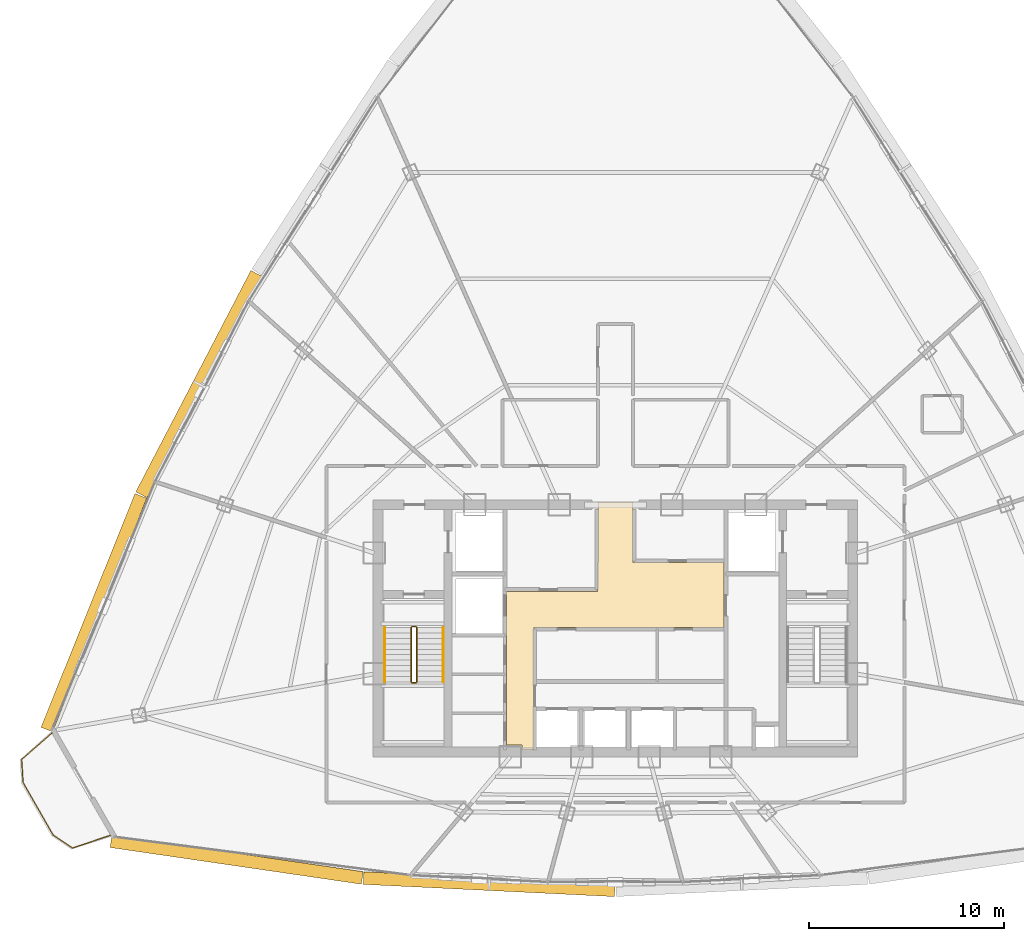
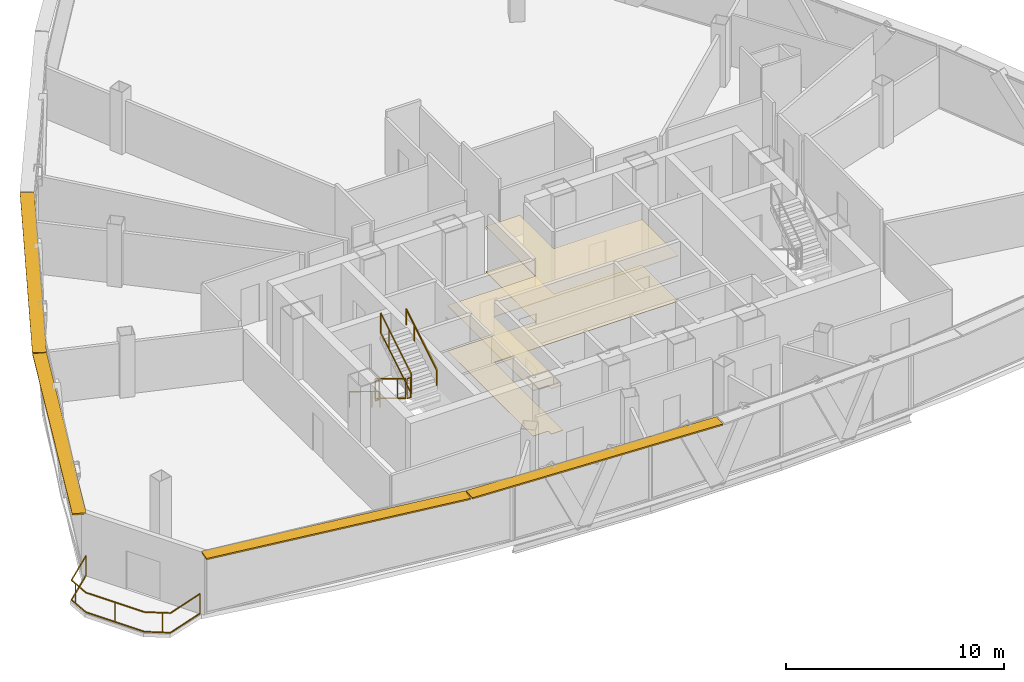
# One storey, part 31 of 33: 7 railings, 4 shading devices, 2 coverings.
"""IFC4 building model written with IfcOpenShell, lengths in metres."""

from ifc_helpers import new_model, si_unit, direction, frame, origin, origin_2d, place, context, subcontext, project, spatial, polyline, rectangle, outline, extrude, source, transform, mapped, material, layer, layer_set, type_object, element, save


model = new_model("IFC4")

# Units and contexts
model_context = context("Model", 3, precision=1e-05, world=origin(), true_north=direction((0.0, 1.0)))
body_context = subcontext(model_context, "Body", "Model", "MODEL_VIEW")
ifc_project = project(units=[si_unit("LENGTHUNIT", "METRE"), si_unit("AREAUNIT", "SQUARE_METRE"), si_unit("VOLUMEUNIT", "CUBIC_METRE"), si_unit("PLANEANGLEUNIT", "RADIAN"), si_unit("MASSUNIT", "GRAM", prefix="KILO"), si_unit("THERMODYNAMICTEMPERATUREUNIT", "KELVIN"), si_unit("POWERUNIT", "WATT")], contexts=[model_context])

# Site, building, storey
site_placement = place(None, origin())
site = spatial("IfcSite", under=ifc_project, at=site_placement, CompositionType="ELEMENT")
building_placement = place(site_placement, origin())
building = spatial("IfcBuilding", under=site, at=building_placement, Name="Yunzhuo Pagoda Commons", CompositionType="ELEMENT")
storey_placement = place(building_placement, frame((0.0, 0.0, 329.260009765625)))
storey = spatial("IfcBuildingStorey", under=building, at=storey_placement, Name="L82", CompositionType="ELEMENT", Elevation=329.260009765625)

# Coverings
ifc_material_1 = material(Name="Micro-perforated metal baffle ceiling")
ifc_layer_1 = layer(ifc_material_1, 0.034912109375)
ifc_layer_set_1 = layer_set([ifc_layer_1], Name="Micro-perforated metal baffle ceiling")
covering_type_1 = type_object("IfcCoveringType", Name="COV-CL3 Ceiling 35", PredefinedType="CEILING", material=ifc_layer_set_1)
covering_1_placement = place(storey_placement, frame((0.0, 0.0, 2.5400390625)))
element("IfcCovering", 1, at=covering_1_placement, inside=storey, type_object=covering_type_1, Name="L82 lift lobby acoustic ceiling", PredefinedType="CEILING", context=body_context, shape_type="SweptSolid", body=[
    extrude(outline(polyline([(42.39990234375, 35.75), (47.080078125, 35.75), (47.080078125, 37.25), (47.10009765625, 37.25), (47.10009765625, 40.35009765625), (48.89990234375, 40.35009765625), (48.89990234375, 37.25), (53.580078125, 37.25), (53.580078125, 33.89990234375), (43.820068359375, 33.89990234375), (43.820068359375, 27.60009765625), (43.207763671875, 27.60009765625), (43.207763671875, 27.85009765625), (43.201904296875, 27.864013671875), (43.187744140625, 27.8701171875), (42.39990234375, 27.8701171875), (42.39990234375, 33.89990234375), (42.39990234375, 35.75)])), origin(), (0.0, 0.0, 1.0), 0.034912109375),
])
ifc_material_2 = material(Name="Resilient acoustic studio flooring")
ifc_layer_2 = layer(ifc_material_2, 0.01806640625)
ifc_layer_set_2 = layer_set([ifc_layer_2], Name="Resilient acoustic studio flooring")
covering_type_2 = type_object("IfcCoveringType", Name="COV-FL3 Flooring 18", PredefinedType="FLOORING", material=ifc_layer_set_2)
covering_2_placement = place(storey_placement, origin())
element("IfcCovering", 2, at=covering_2_placement, inside=storey, type_object=covering_type_2, Name="L82 lift lobby flooring", PredefinedType="FLOORING", context=body_context, shape_type="SweptSolid", body=[
    extrude(outline(polyline([(42.39990234375, 35.75), (47.080078125, 35.75), (47.080078125, 37.25), (47.10009765625, 37.25), (47.10009765625, 40.35009765625), (48.89990234375, 40.35009765625), (48.89990234375, 37.25), (53.580078125, 37.25), (53.580078125, 33.89990234375), (43.820068359375, 33.89990234375), (43.820068359375, 27.60009765625), (43.207763671875, 27.60009765625), (43.207763671875, 27.85009765625), (43.201904296875, 27.864013671875), (43.187744140625, 27.8701171875), (42.39990234375, 27.8701171875), (42.39990234375, 33.89990234375), (42.39990234375, 35.75)])), origin(), (0.0, 0.0, 1.0), 0.01806640625),
])

# Railings
ifc_material_3 = material(Name="Anodized aluminium 6063-T6", Category="aluminium")
railing_type_1 = type_object("IfcRailingType", Name="GR-ST1 Stair Well Guardrail 1150", PredefinedType="GUARDRAIL", material=ifc_material_3)
railing_1_placement = place(storey_placement, frame((37.5, 33.89990234375, 0.17041015625)))
element("IfcRailing", 3, at=railing_1_placement, inside=storey, type_object=railing_type_1, Name="L82 ST1 stair guard 1", PredefinedType="GUARDRAIL", context=body_context, shape_type="SweptSolid", body=[
    extrude(rectangle(XDim=0.048095703125, YDim=0.048095703125, at=origin_2d()), frame((0.0, 0.0, 1.1259765625), z_axis=(0.0, -0.854149651119, 0.520027281489), x_axis=(1.0, 0.0, 0.0)), (0.0, 0.0, 1.0), 3.27783203125),
    extrude(rectangle(XDim=0.048095703125, YDim=0.048095703125, at=origin_2d()), frame((0.0, 0.0, 0.02392578125), z_axis=(0.0, -0.854149651119, 0.520027281489), x_axis=(1.0, 0.0, 0.0)), (0.0, 0.0, 1.0), 3.27783203125),
    extrude(rectangle(XDim=0.0419921875, YDim=0.0419921875, at=origin_2d()), origin(), (0.0, 0.0, 1.0), 1.101806640625),
    extrude(rectangle(XDim=0.0419921875, YDim=0.0419921875, at=origin_2d()), frame((0.0, -2.050048828125, 1.248046875)), (0.0, 0.0, 1.0), 1.101806640625),
    extrude(rectangle(XDim=0.0419921875, YDim=0.0419921875, at=origin_2d()), frame((0.0, -2.7998046875, 1.70458984375)), (0.0, 0.0, 1.0), 1.101806640625),
])
railing_2_placement = place(storey_placement, frame((37.550048828125, 31.050048828125, 1.875)))
element("IfcRailing", 4, at=railing_2_placement, inside=storey, type_object=railing_type_1, Name="L82 ST1 stair guard 2", PredefinedType="GUARDRAIL", context=body_context, shape_type="SweptSolid", body=[
    extrude(rectangle(XDim=0.048095703125, YDim=0.048095703125, at=origin_2d()), frame((0.0, 0.0, 1.1259765625), z_axis=(1.0, 0.0, 0.0), x_axis=(0.0, 1.0, 0.0)), (0.0, 0.0, 1.0), 0.199951171875),
    extrude(rectangle(XDim=0.048095703125, YDim=0.048095703125, at=origin_2d()), frame((0.0, 0.0, 0.02392578125), z_axis=(1.0, 0.0, 0.0), x_axis=(0.0, 1.0, 0.0)), (0.0, 0.0, 1.0), 0.199951171875),
    extrude(rectangle(XDim=0.0419921875, YDim=0.0419921875, at=origin_2d()), origin(), (0.0, 0.0, 1.0), 1.101806640625),
    extrude(rectangle(XDim=0.0419921875, YDim=0.0419921875, at=origin_2d()), frame((0.199951171875, 0.0, 0.0)), (0.0, 0.0, 1.0), 1.101806640625),
])
railing_3_placement = place(storey_placement, frame((37.800048828125, 31.10009765625, 2.04541015625)))
element("IfcRailing", 5, at=railing_3_placement, inside=storey, type_object=railing_type_1, Name="L82 ST1 stair guard 3", PredefinedType="GUARDRAIL", context=body_context, shape_type="SweptSolid", body=[
    extrude(rectangle(XDim=0.048095703125, YDim=0.048095703125, at=origin_2d()), frame((0.0, 0.0, 1.1259765625), z_axis=(0.0, 0.854149651119, 0.520027281489), x_axis=(-1.0, 0.0, 0.0)), (0.0, 0.0, 1.0), 3.27783203125),
    extrude(rectangle(XDim=0.048095703125, YDim=0.048095703125, at=origin_2d()), frame((0.0, 0.0, 0.02392578125), z_axis=(0.0, 0.854149651119, 0.520027281489), x_axis=(-1.0, 0.0, 0.0)), (0.0, 0.0, 1.0), 3.27783203125),
    extrude(rectangle(XDim=0.0419921875, YDim=0.0419921875, at=origin_2d()), origin(), (0.0, 0.0, 1.0), 1.101806640625),
    extrude(rectangle(XDim=0.0419921875, YDim=0.0419921875, at=origin_2d()), frame((0.0, 2.050048828125, 1.248046875)), (0.0, 0.0, 1.0), 1.101806640625),
    extrude(rectangle(XDim=0.0419921875, YDim=0.0419921875, at=origin_2d()), frame((0.0, 2.7998046875, 1.70458984375)), (0.0, 0.0, 1.0), 1.101806640625),
])
railing_4_placement = place(storey_placement, frame((37.550048828125, 33.949951171875, 0.0)))
element("IfcRailing", 6, at=railing_4_placement, inside=storey, type_object=railing_type_1, Name="L82 ST1 stair guard 4", PredefinedType="GUARDRAIL", context=body_context, shape_type="SweptSolid", body=[
    extrude(rectangle(XDim=0.048095703125, YDim=0.048095703125, at=origin_2d()), frame((0.0, 0.0, 1.1259765625), z_axis=(1.0, 0.0, 0.0), x_axis=(0.0, 1.0, 0.0)), (0.0, 0.0, 1.0), 0.199951171875),
    extrude(rectangle(XDim=0.048095703125, YDim=0.048095703125, at=origin_2d()), frame((0.0, 0.0, 0.02392578125), z_axis=(1.0, 0.0, 0.0), x_axis=(0.0, 1.0, 0.0)), (0.0, 0.0, 1.0), 0.199951171875),
    extrude(rectangle(XDim=0.0419921875, YDim=0.0419921875, at=origin_2d()), origin(), (0.0, 0.0, 1.0), 1.101806640625),
    extrude(rectangle(XDim=0.0419921875, YDim=0.0419921875, at=origin_2d()), frame((0.199951171875, 0.0, 0.0)), (0.0, 0.0, 1.0), 1.101806640625),
])
railing_type_2 = type_object("IfcRailingType", Name="HR-ST1 Stair Handrail 900", PredefinedType="HANDRAIL", material=ifc_material_3)
railing_5_placement = place(storey_placement, frame((36.14990234375, 33.89990234375, 0.17041015625)))
element("IfcRailing", 7, at=railing_5_placement, inside=storey, type_object=railing_type_2, Name="L82 ST1 stair handrail 1", PredefinedType="HANDRAIL", context=body_context, shape_type="SweptSolid", body=[
    extrude(rectangle(XDim=0.048095703125, YDim=0.048095703125, at=origin_2d()), frame((0.0, 0.0, 0.8759765625), z_axis=(0.0, -0.854149651119, 0.520027281489), x_axis=(1.0, 0.0, 0.0)), (0.0, 0.0, 1.0), 3.27783203125),
    extrude(rectangle(XDim=0.0419921875, YDim=0.0419921875, at=origin_2d()), origin(), (0.0, 0.0, 1.0), 0.851806640625),
    extrude(rectangle(XDim=0.0419921875, YDim=0.0419921875, at=origin_2d()), frame((0.0, -2.050048828125, 1.248046875)), (0.0, 0.0, 1.0), 0.851806640625),
    extrude(rectangle(XDim=0.0419921875, YDim=0.0419921875, at=origin_2d()), frame((0.0, -2.7998046875, 1.70458984375)), (0.0, 0.0, 1.0), 0.851806640625),
])
railing_6_placement = place(storey_placement, frame((39.14990234375, 31.10009765625, 2.04541015625)))
element("IfcRailing", 8, at=railing_6_placement, inside=storey, type_object=railing_type_2, Name="L82 ST1 stair handrail 2", PredefinedType="HANDRAIL", context=body_context, shape_type="SweptSolid", body=[
    extrude(rectangle(XDim=0.048095703125, YDim=0.048095703125, at=origin_2d()), frame((0.0, 0.0, 0.8759765625), z_axis=(0.0, 0.854149651119, 0.520027281489), x_axis=(-1.0, 0.0, 0.0)), (0.0, 0.0, 1.0), 3.27783203125),
    extrude(rectangle(XDim=0.0419921875, YDim=0.0419921875, at=origin_2d()), origin(), (0.0, 0.0, 1.0), 0.851806640625),
    extrude(rectangle(XDim=0.0419921875, YDim=0.0419921875, at=origin_2d()), frame((0.0, 2.050048828125, 1.248046875)), (0.0, 0.0, 1.0), 0.851806640625),
    extrude(rectangle(XDim=0.0419921875, YDim=0.0419921875, at=origin_2d()), frame((0.0, 2.7998046875, 1.70458984375)), (0.0, 0.0, 1.0), 0.851806640625),
])
railing_type_3 = type_object("IfcRailingType", Name="RL-BAL1 Exterior Terrace & Balcony Balustrade 1150", PredefinedType="BALUSTRADE", material=ifc_material_3)
railing_7_placement = place(storey_placement, frame((19.04638671875, 28.474853515625, 0.0)))
element("IfcRailing", 9, at=railing_7_placement, inside=storey, type_object=railing_type_3, Name="L82 corner balcony balustrade V1", PredefinedType="BALUSTRADE", context=body_context, shape_type="SweptSolid", body=[
    extrude(rectangle(XDim=0.048095703125, YDim=0.048095703125, at=origin_2d()), frame((0.0, 0.0, 1.1259765625), z_axis=(-0.753933830692, -0.656950362614, 0.0), x_axis=(0.656950362614, -0.753933830692, 0.0)), (0.0, 0.0, 1.0), 2.05908203125),
    extrude(rectangle(XDim=0.048095703125, YDim=0.048095703125, at=origin_2d()), frame((0.0, 0.0, 0.02392578125), z_axis=(-0.753933830692, -0.656950362614, 0.0), x_axis=(0.656950362614, -0.753933830692, 0.0)), (0.0, 0.0, 1.0), 2.05908203125),
    extrude(rectangle(XDim=0.048095703125, YDim=0.048095703125, at=origin_2d()), frame((-1.552490234375, -1.352783203125, 1.1259765625), z_axis=(0.062416382628, -0.998050196723, 0.0), x_axis=(0.998050196723, 0.062416382628, 0.0)), (0.0, 0.0, 1.0), 1.197021484375),
    extrude(rectangle(XDim=0.048095703125, YDim=0.048095703125, at=origin_2d()), frame((-1.552490234375, -1.352783203125, 0.02392578125), z_axis=(0.062416382628, -0.998050196723, 0.0), x_axis=(0.998050196723, 0.062416382628, 0.0)), (0.0, 0.0, 1.0), 1.197021484375),
    extrude(rectangle(XDim=0.048095703125, YDim=0.048095703125, at=origin_2d()), frame((-1.477783203125, -2.54736328125, 1.1259765625), z_axis=(0.497966035481, -0.867196533381, 0.0), x_axis=(0.867196533381, 0.497966035481, 0.0)), (0.0, 0.0, 1.0), 3.1064453125),
    extrude(rectangle(XDim=0.048095703125, YDim=0.048095703125, at=origin_2d()), frame((-1.477783203125, -2.54736328125, 0.02392578125), z_axis=(0.497966035481, -0.867196533381, 0.0), x_axis=(0.867196533381, 0.497966035481, 0.0)), (0.0, 0.0, 1.0), 3.1064453125),
    extrude(rectangle(XDim=0.048095703125, YDim=0.048095703125, at=origin_2d()), frame((0.069091796875, -5.2412109375, 1.1259765625), z_axis=(0.830446287952, -0.557098701154, 0.0), x_axis=(0.557098701154, 0.830446287952, 0.0)), (0.0, 0.0, 1.0), 1.19677734375),
    extrude(rectangle(XDim=0.048095703125, YDim=0.048095703125, at=origin_2d()), frame((0.069091796875, -5.2412109375, 0.02392578125), z_axis=(0.830446287952, -0.557098701154, 0.0), x_axis=(0.557098701154, 0.830446287952, 0.0)), (0.0, 0.0, 1.0), 1.19677734375),
    extrude(rectangle(XDim=0.048095703125, YDim=0.048095703125, at=origin_2d()), frame((1.06298828125, -5.907958984375, 1.1259765625), z_axis=(0.947419062147, 0.319995501031, 0.0), x_axis=(-0.319995501031, 0.947419062147, 0.0)), (0.0, 0.0, 1.0), 2.05908203125),
    extrude(rectangle(XDim=0.048095703125, YDim=0.048095703125, at=origin_2d()), frame((1.06298828125, -5.907958984375, 0.02392578125), z_axis=(0.947419062147, 0.319995501031, 0.0), x_axis=(-0.319995501031, 0.947419062147, 0.0)), (0.0, 0.0, 1.0), 2.05908203125),
    extrude(rectangle(XDim=0.0419921875, YDim=0.0419921875, at=origin_2d()), origin(), (0.0, 0.0, 1.0), 1.101806640625),
    extrude(rectangle(XDim=0.0419921875, YDim=0.0419921875, at=origin_2d()), frame((-1.53125, -1.69287109375, 0.0)), (0.0, 0.0, 1.0), 1.101806640625),
    extrude(rectangle(XDim=0.0419921875, YDim=0.0419921875, at=origin_2d()), frame((-0.708984375, -3.88623046875, 0.0)), (0.0, 0.0, 1.0), 1.101806640625),
    extrude(rectangle(XDim=0.0419921875, YDim=0.0419921875, at=origin_2d()), frame((0.7646484375, -5.707763671875, 0.0)), (0.0, 0.0, 1.0), 1.101806640625),
    extrude(rectangle(XDim=0.0419921875, YDim=0.0419921875, at=origin_2d()), frame((3.013916015625, -5.2490234375, 0.0)), (0.0, 0.0, 1.0), 1.101806640625),
])

# Shading devices
ifc_layer_3 = layer(ifc_material_3, 0.080078125)
ifc_layer_set_3 = layer_set([ifc_layer_3], Name="Anodized aluminium 6063-T6")
shading_device_type = type_object("IfcShadingDeviceType", Name="SH-SUN1 Pagoda Horizontal Sunshade Eave 650", PredefinedType="USERDEFINED", material=ifc_layer_set_3)
shared_shape_1 = source(origin(), body_context, "Body", "SweptSolid", [
    extrude(rectangle(XDim=13.047119140625, YDim=0.64990234375, at=origin_2d()), origin(), (0.0, 0.0, 1.0), 0.080078125),
])
shading_device_1_placement = place(storey_placement, frame((28.54052734375, 21.9736328125, 3.409912109375), z_axis=(0.0, 0.0, 1.0), x_axis=(0.989510666697, -0.144459823108, 0.0)))
element("IfcShadingDevice", 10, at=shading_device_1_placement, inside=storey, type_object=shading_device_type, Name="L82 horizontal pagoda sunshade eave F1.1", ObjectType="SUNSHADE", PredefinedType="USERDEFINED", context=body_context, shape_type="MappedRepresentation", body=[
    mapped(shared_shape_1, transform((0.0, 0.0, 0.0), scale=1.0)),
])
shared_shape_2 = source(origin(), body_context, "Body", "SweptSolid", [
    extrude(rectangle(XDim=12.92529296875, YDim=0.64990234375, at=origin_2d()), origin(), (0.0, 0.0, 1.0), 0.080078125),
])
shading_device_2_placement = place(storey_placement, frame((41.513427734375, 20.711181640625, 3.409912109375), z_axis=(0.0, 0.0, 1.0), x_axis=(0.998818043775, -0.04860571396, 0.0)))
element("IfcShadingDevice", 11, at=shading_device_2_placement, inside=storey, type_object=shading_device_type, Name="L82 horizontal pagoda sunshade eave F1.2", ObjectType="SUNSHADE", PredefinedType="USERDEFINED", context=body_context, shape_type="MappedRepresentation", body=[
    mapped(shared_shape_2, transform((0.0, 0.0, 0.0), scale=1.0)),
])
shared_shape_3 = source(origin(), body_context, "Body", "SweptSolid", [
    extrude(rectangle(XDim=12.942138671875, YDim=0.64990234375, at=origin_2d()), origin(), (0.0, 0.0, 1.0), 0.080078125),
])
shading_device_3_placement = place(storey_placement, frame((21.205078125, 34.656494140625, 3.409912109375), z_axis=(0.0, 0.0, 1.0), x_axis=(-0.372987782576, -0.927836253899, 0.0)))
element("IfcShadingDevice", 12, at=shading_device_3_placement, inside=storey, type_object=shading_device_type, Name="L82 horizontal pagoda sunshade eave F3.4", ObjectType="SUNSHADE", PredefinedType="USERDEFINED", context=body_context, shape_type="MappedRepresentation", body=[
    mapped(shared_shape_3, transform((0.0, 0.0, 0.0), scale=1.0)),
])
shared_shape_4 = source(origin(), body_context, "Body", "SweptSolid", [
    extrude(rectangle(XDim=12.8193359375, YDim=0.64990234375, at=origin_2d()), origin(), (0.0, 0.0, 1.0), 0.080078125),
])
shading_device_4_placement = place(storey_placement, frame((26.601318359375, 46.4052734375, 3.409912109375), z_axis=(0.0, 0.0, 1.0), x_axis=(-0.461206683033, -0.88729273384, 0.0)))
element("IfcShadingDevice", 13, at=shading_device_4_placement, inside=storey, type_object=shading_device_type, Name="L82 horizontal pagoda sunshade eave F3.3", ObjectType="SUNSHADE", PredefinedType="USERDEFINED", context=body_context, shape_type="MappedRepresentation", body=[
    mapped(shared_shape_4, transform((0.0, 0.0, 0.0), scale=1.0)),
])

save(model, "model.ifc")
